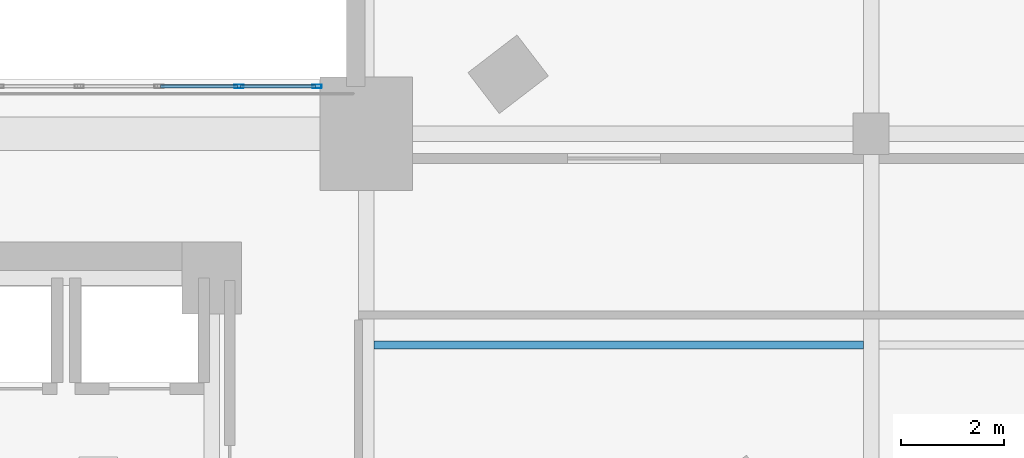
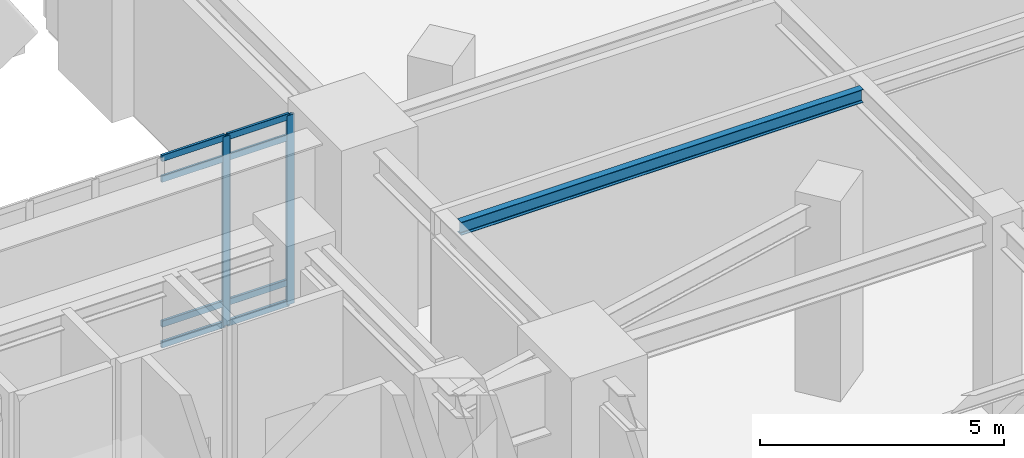
# One storey, part 14 of 26: 10 members, 1 beam, 1 element without a shape of its own.
"""IFC4 building model written with IfcOpenShell, lengths in metres."""

from ifc_helpers import new_model, si_unit, direction, frame, origin, origin_2d, place, context, subcontext, project, spatial, hollow_rectangle, i_section, extrude, material, layer, layer_set, material_profile, profile_set, type_object, element, aggregate, save


model = new_model("IFC4")

# Units and contexts
model_context = context("Model", 3, precision=1e-05, world=origin(), true_north=direction((0.0, 1.0)))
body_context = subcontext(model_context, "Body", "Model", "MODEL_VIEW")
ifc_project = project(units=[si_unit("LENGTHUNIT", "METRE"), si_unit("AREAUNIT", "SQUARE_METRE"), si_unit("VOLUMEUNIT", "CUBIC_METRE"), si_unit("PLANEANGLEUNIT", "RADIAN"), si_unit("MASSUNIT", "GRAM", prefix="KILO")], contexts=[model_context])

# Site, building, storey
site_placement = place(None, origin())
site = spatial("IfcSite", under=ifc_project, at=site_placement, CompositionType="ELEMENT")
building_placement = place(site_placement, origin())
building = spatial("IfcBuilding", under=site, at=building_placement, Name="Ndelora Gate Hotel", CompositionType="ELEMENT")
storey_placement = place(building_placement, frame((0.0, 0.0, 6.0)))
storey = spatial("IfcBuildingStorey", under=building, at=storey_placement, Name="L01", CompositionType="ELEMENT", Elevation=6.0)

# Beam
ifc_material_1 = material(Name="Steel S355", Category="steel")
ifc_material_profile_1 = material_profile(ifc_material_1, i_section(OverallWidth=0.159912109375, OverallDepth=0.330078125, WebThickness=0.007568359375, FlangeThickness=0.011474609375, FilletRadius=0.01806640625, at=origin_2d()), Name="IPE 330")
ifc_profile_set_1 = profile_set([ifc_material_profile_1], Name="Steel S355")
beam_type = type_object("IfcBeamType", Name="BM-JST-330", PredefinedType="JOIST", material=ifc_profile_set_1)
beam_placement = place(storey_placement, frame((11.14990234375, 5.300048828125, 4.554931640625), z_axis=(1.0, 0.0, 0.0), x_axis=(0.0, 1.0, 0.0)))
element("IfcBeam", 1, at=beam_placement, inside=storey, type_object=beam_type, Name="L01 Podium Composite Secondary Joist 5", PredefinedType="JOIST", context=body_context, shape_type="SweptSolid", body=[
    extrude(i_section(OverallWidth=0.159912109375, OverallDepth=0.330078125, WebThickness=0.007568359375, FlangeThickness=0.011474609375, FilletRadius=0.01806640625, at=origin_2d()), origin(), (0.0, 0.0, 1.0), 9.5),
])

# Curtain wall, members
ifc_material_2 = material(Name="Bronze Anodised Unitised Aluminium and Low-E Glass", Category="aluminium")
ifc_layer = layer(ifc_material_2, 0.239990234375)
ifc_layer_set = layer_set([ifc_layer], Name="Bronze Anodised Unitised Aluminium and Low-E Glass")
curtain_wall_type = type_object("IfcCurtainWallType", Name="CW-SYS-1", PredefinedType="NOTDEFINED", material=ifc_layer_set)
curtain_wall_placement = place(storey_placement, origin())
curtain_wall = element("IfcCurtainWall", 2, at=curtain_wall_placement, inside=storey, type_object=curtain_wall_type, Name="L01 North Portal Arch Concourse Curtain Wall CW1", PredefinedType="NOTDEFINED")
ifc_material_3 = material(Name="Bronze Anodised Aluminium 6063-T6", Category="aluminium")
ifc_material_profile_2 = material_profile(ifc_material_3, hollow_rectangle(XDim=0.070068359375, YDim=0.179931640625, WallThickness=0.0048828125, InnerFilletRadius=0.0048828125, OuterFilletRadius=0.010009765625, at=origin_2d()), Name="ALU 180x70x5")
ifc_profile_set_2 = profile_set([ifc_material_profile_2], Name="Bronze Anodised Aluminium 6063-T6")
member_type_1 = type_object("IfcMemberType", Name="MB-CW-MUL180", PredefinedType="MULLION", material=ifc_profile_set_2)
member_1_placement = place(storey_placement, frame((10.044921875, 10.320068359375, -0.00390625), z_axis=(0.0, 0.0, 1.0), x_axis=(0.0, -1.0, 0.0)))
member_1 = element("IfcMember", 3, at=member_1_placement, type_object=member_type_1, Name="CW1 mullion 1", PredefinedType="MULLION", context=body_context, shape_type="SweptSolid", body=[
    extrude(hollow_rectangle(XDim=0.070068359375, YDim=0.179931640625, WallThickness=0.0048828125, InnerFilletRadius=0.0048828125, OuterFilletRadius=0.010009765625, at=origin_2d()), origin(), (0.0, 0.0, 1.0), 4.72802734375),
])
member_2_placement = place(storey_placement, frame((8.529296875, 10.320068359375, -0.00390625), z_axis=(0.0, 0.0, 1.0), x_axis=(0.0, -1.0, 0.0)))
member_2 = element("IfcMember", 4, at=member_2_placement, type_object=member_type_1, Name="CW1 mullion 2", PredefinedType="MULLION", context=body_context, shape_type="SweptSolid", body=[
    extrude(hollow_rectangle(XDim=0.070068359375, YDim=0.179931640625, WallThickness=0.0048828125, InnerFilletRadius=0.0048828125, OuterFilletRadius=0.010009765625, at=origin_2d()), origin(), (0.0, 0.0, 1.0), 4.72802734375),
])
ifc_material_profile_3 = material_profile(ifc_material_3, hollow_rectangle(XDim=0.06494140625, YDim=0.159912109375, WallThickness=0.00390625, InnerFilletRadius=0.00390625, OuterFilletRadius=0.008056640625, at=origin_2d()), Name="ALU 160x65x4")
ifc_profile_set_3 = profile_set([ifc_material_profile_3], Name="Bronze Anodised Aluminium 6063-T6")
member_type_2 = type_object("IfcMemberType", Name="MB-CW-TRN150", PredefinedType="USERDEFINED", material=ifc_profile_set_3)
member_3_placement = place(storey_placement, frame((10.01611328125, 10.320068359375, 0.032470703125), z_axis=(-1.0, 0.0, 0.0), x_axis=(0.0, -1.0, 0.0)))
member_3 = element("IfcMember", 5, at=member_3_placement, type_object=member_type_2, Name="CW1 transom 1.1", ObjectType="TRANSOM", PredefinedType="USERDEFINED", context=body_context, shape_type="SweptSolid", body=[
    extrude(hollow_rectangle(XDim=0.06494140625, YDim=0.159912109375, WallThickness=0.00390625, InnerFilletRadius=0.00390625, OuterFilletRadius=0.008056640625, at=origin_2d()), origin(), (0.0, 0.0, 1.0), 1.457763671875),
])
member_4_placement = place(storey_placement, frame((10.01611328125, 10.320068359375, 0.550048828125), z_axis=(-1.0, 0.0, 0.0), x_axis=(0.0, -1.0, 0.0)))
member_4 = element("IfcMember", 6, at=member_4_placement, type_object=member_type_2, Name="CW1 transom 1.2", ObjectType="TRANSOM", PredefinedType="USERDEFINED", context=body_context, shape_type="SweptSolid", body=[
    extrude(hollow_rectangle(XDim=0.06494140625, YDim=0.159912109375, WallThickness=0.00390625, InnerFilletRadius=0.00390625, OuterFilletRadius=0.008056640625, at=origin_2d()), origin(), (0.0, 0.0, 1.0), 1.457763671875),
])
member_5_placement = place(storey_placement, frame((10.01611328125, 10.320068359375, 4.169921875), z_axis=(-1.0, 0.0, 0.0), x_axis=(0.0, -1.0, 0.0)))
member_5 = element("IfcMember", 7, at=member_5_placement, type_object=member_type_2, Name="CW1 transom 1.3", ObjectType="TRANSOM", PredefinedType="USERDEFINED", context=body_context, shape_type="SweptSolid", body=[
    extrude(hollow_rectangle(XDim=0.06494140625, YDim=0.159912109375, WallThickness=0.00390625, InnerFilletRadius=0.00390625, OuterFilletRadius=0.008056640625, at=origin_2d()), origin(), (0.0, 0.0, 1.0), 1.457763671875),
])
member_6_placement = place(storey_placement, frame((10.01611328125, 10.320068359375, 4.6875), z_axis=(-1.0, 0.0, 0.0), x_axis=(0.0, -1.0, 0.0)))
member_6 = element("IfcMember", 8, at=member_6_placement, type_object=member_type_2, Name="CW1 transom 1.4", ObjectType="TRANSOM", PredefinedType="USERDEFINED", context=body_context, shape_type="SweptSolid", body=[
    extrude(hollow_rectangle(XDim=0.06494140625, YDim=0.159912109375, WallThickness=0.00390625, InnerFilletRadius=0.00390625, OuterFilletRadius=0.008056640625, at=origin_2d()), origin(), (0.0, 0.0, 1.0), 1.457763671875),
])
member_7_placement = place(storey_placement, frame((8.500244140625, 10.320068359375, 0.032470703125), z_axis=(-1.0, 0.0, 0.0), x_axis=(0.0, -1.0, 0.0)))
member_7 = element("IfcMember", 9, at=member_7_placement, type_object=member_type_2, Name="CW1 transom 2.1", ObjectType="TRANSOM", PredefinedType="USERDEFINED", context=body_context, shape_type="SweptSolid", body=[
    extrude(hollow_rectangle(XDim=0.06494140625, YDim=0.159912109375, WallThickness=0.00390625, InnerFilletRadius=0.00390625, OuterFilletRadius=0.008056640625, at=origin_2d()), origin(), (0.0, 0.0, 1.0), 1.49267578125),
])
member_8_placement = place(storey_placement, frame((8.500244140625, 10.320068359375, 0.550048828125), z_axis=(-1.0, 0.0, 0.0), x_axis=(0.0, -1.0, 0.0)))
member_8 = element("IfcMember", 10, at=member_8_placement, type_object=member_type_2, Name="CW1 transom 2.2", ObjectType="TRANSOM", PredefinedType="USERDEFINED", context=body_context, shape_type="SweptSolid", body=[
    extrude(hollow_rectangle(XDim=0.06494140625, YDim=0.159912109375, WallThickness=0.00390625, InnerFilletRadius=0.00390625, OuterFilletRadius=0.008056640625, at=origin_2d()), origin(), (0.0, 0.0, 1.0), 1.49267578125),
])
member_9_placement = place(storey_placement, frame((8.500244140625, 10.320068359375, 4.169921875), z_axis=(-1.0, 0.0, 0.0), x_axis=(0.0, -1.0, 0.0)))
member_9 = element("IfcMember", 11, at=member_9_placement, type_object=member_type_2, Name="CW1 transom 2.3", ObjectType="TRANSOM", PredefinedType="USERDEFINED", context=body_context, shape_type="SweptSolid", body=[
    extrude(hollow_rectangle(XDim=0.06494140625, YDim=0.159912109375, WallThickness=0.00390625, InnerFilletRadius=0.00390625, OuterFilletRadius=0.008056640625, at=origin_2d()), origin(), (0.0, 0.0, 1.0), 1.49267578125),
])
member_10_placement = place(storey_placement, frame((8.500244140625, 10.320068359375, 4.6875), z_axis=(-1.0, 0.0, 0.0), x_axis=(0.0, -1.0, 0.0)))
member_10 = element("IfcMember", 12, at=member_10_placement, type_object=member_type_2, Name="CW1 transom 2.4", ObjectType="TRANSOM", PredefinedType="USERDEFINED", context=body_context, shape_type="SweptSolid", body=[
    extrude(hollow_rectangle(XDim=0.06494140625, YDim=0.159912109375, WallThickness=0.00390625, InnerFilletRadius=0.00390625, OuterFilletRadius=0.008056640625, at=origin_2d()), origin(), (0.0, 0.0, 1.0), 1.49267578125),
])
aggregate(curtain_wall, [member_1, member_2, member_3, member_4, member_5, member_6, member_7, member_8, member_9, member_10])

save(model, "model.ifc")
